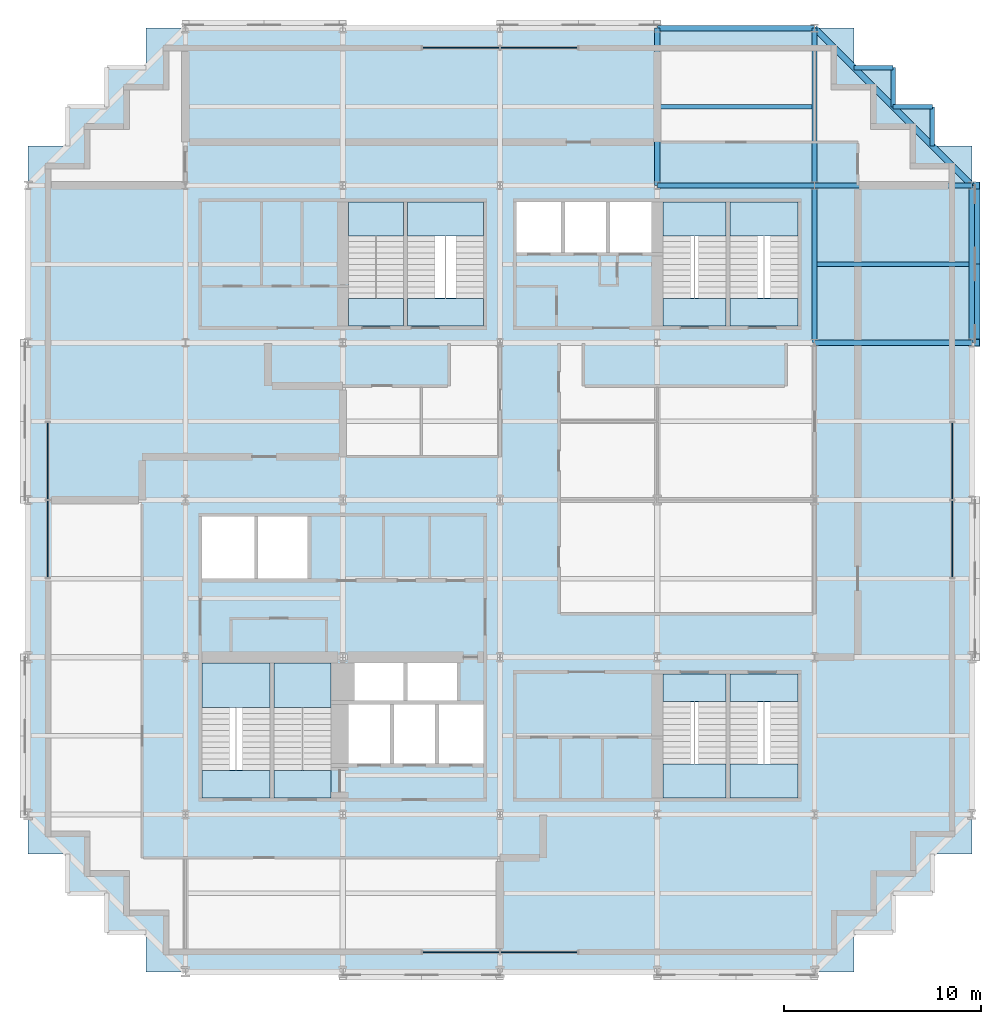
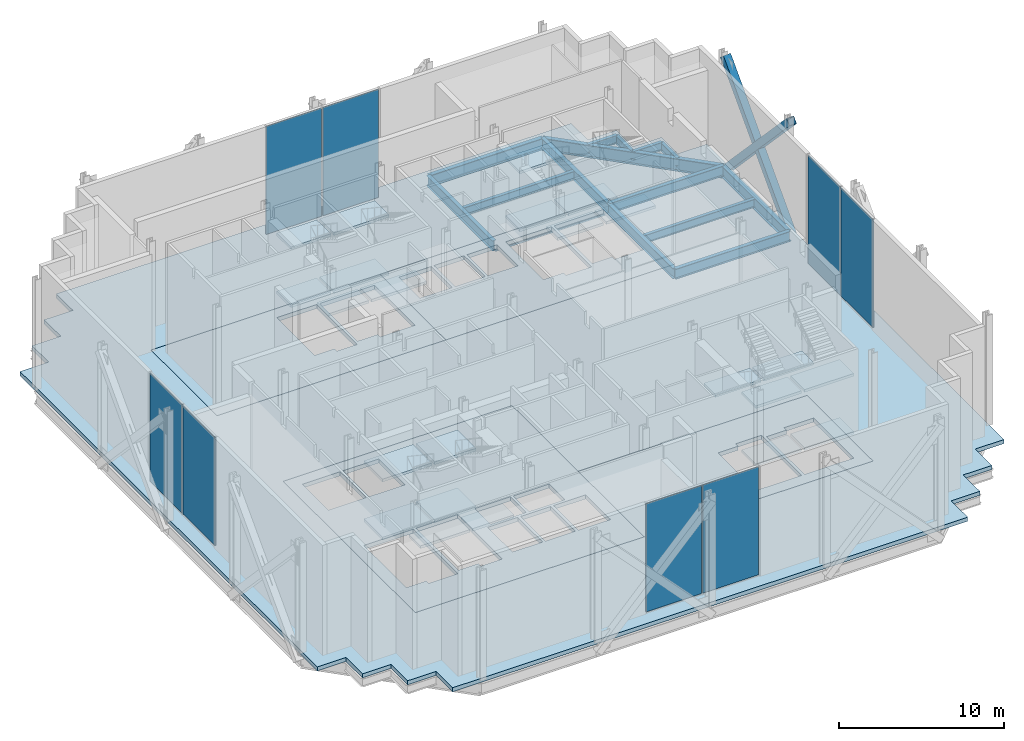
# One storey, part 6 of 13: 28 slabs, 15 beams, 8 plates, 2 members, 12 elements without a shape of their own.
"""IFC4 building model written with IfcOpenShell, lengths in metres."""

from ifc_helpers import new_model, si_unit, direction, frame, origin, origin_2d, place, context, subcontext, project, spatial, polyline, rectangle, hollow_rectangle, i_section, outline, extrude, material, layer, layer_set, material_profile, profile_set, type_object, element, aggregate, save


model = new_model("IFC4")

# Units and contexts
model_context = context("Model", 3, precision=1e-05, world=origin(), true_north=direction((0.0, 1.0)))
body_context = subcontext(model_context, "Body", "Model", "MODEL_VIEW")
ifc_project = project(units=[si_unit("LENGTHUNIT", "METRE"), si_unit("AREAUNIT", "SQUARE_METRE"), si_unit("VOLUMEUNIT", "CUBIC_METRE"), si_unit("PLANEANGLEUNIT", "RADIAN"), si_unit("MASSUNIT", "GRAM", prefix="KILO")], contexts=[model_context])

# Site, building, storey
site_placement = place(None, origin())
site = spatial("IfcSite", under=ifc_project, at=site_placement, CompositionType="ELEMENT")
building_placement = place(site_placement, origin())
building = spatial("IfcBuilding", under=site, at=building_placement, Name="Immortelle Media Tower", CompositionType="ELEMENT")
storey_placement = place(building_placement, frame((0.0, 0.0, 21.0)))
storey = spatial("IfcBuildingStorey", under=building, at=storey_placement, Name="L02", CompositionType="ELEMENT", Elevation=21.0)

# Members
ifc_material_1 = material(Name="Steel ASTM A500 Gr C", Category="steel")
ifc_material_profile_1 = material_profile(ifc_material_1, hollow_rectangle(XDim=0.508056640625, YDim=0.508056640625, WallThickness=0.014892578125, at=origin_2d()), Name="HSS20x20x5/8 brace")
ifc_profile_set_1 = profile_set([ifc_material_profile_1], Name="Steel ASTM A500 Gr C")
member_type = type_object("IfcMemberType", Name="HSS20x20x5/8 brace", PredefinedType="BRACE", material=ifc_profile_set_1)
for number, where, z_axis, x_axis, name in (
    (1, (48.1640625, 32.0, -0.7294921875), (0.0, 0.687508336852, 0.726176484582), (-1.0, 0.0, 0.0), "Brace 7/E-F A"),
    (2, (48.1640625, 32.0, 7.720458984375), (0.0, 0.687508336852, -0.726176484582), (-1.0, 0.0, 0.0), "Brace 7/E-F B"),
):
    element("IfcMember", number, at=place(storey_placement, frame(where, z_axis=z_axis, x_axis=x_axis)), inside=storey, type_object=member_type, Name=name, PredefinedType="BRACE", context=body_context, shape_type="SweptSolid", body=[
        extrude(hollow_rectangle(XDim=0.508056640625, YDim=0.508056640625, WallThickness=0.014892578125, at=origin_2d()), origin(), (0.0, 0.0, 1.0), 11.63623046875),
    ])

# Beams
ifc_material_2 = material(Name="Steel ASTM A992 Gr 50", Category="steel")
ifc_material_profile_2 = material_profile(ifc_material_2, i_section(OverallWidth=0.22900390625, OverallDepth=0.612060546875, WebThickness=0.011962890625, FlangeThickness=0.02001953125, at=origin_2d()), Name="W24x84")
ifc_profile_set_2 = profile_set([ifc_material_profile_2], Name="Steel ASTM A992 Gr 50")
beam_type_1 = type_object("IfcBeamType", Name="W24x84 secondary beam", PredefinedType="JOIST", material=ifc_profile_set_2)
beam_1_placement = place(storey_placement, frame((40.133544921875, 36.0, -0.60595703125), z_axis=(1.0, 0.0, 0.0), x_axis=(0.0, 1.0, 0.0)))
element("IfcBeam", 3, at=beam_1_placement, inside=storey, type_object=beam_type_1, Name="Beam E-F/6-7", PredefinedType="JOIST", context=body_context, shape_type="SweptSolid", body=[
    extrude(i_section(OverallWidth=0.22900390625, OverallDepth=0.612060546875, WebThickness=0.011962890625, FlangeThickness=0.02001953125, at=origin_2d()), origin(), (0.0, 0.0, 1.0), 7.720458984375),
])
beam_2_placement = place(storey_placement, frame((32.133544921875, 44.0, -0.60595703125), z_axis=(1.0, 0.0, 0.0), x_axis=(0.0, 1.0, 0.0)))
element("IfcBeam", 4, at=beam_2_placement, inside=storey, type_object=beam_type_1, Name="Beam F-G/5-6", PredefinedType="JOIST", context=body_context, shape_type="SweptSolid", body=[
    extrude(i_section(OverallWidth=0.22900390625, OverallDepth=0.612060546875, WebThickness=0.011962890625, FlangeThickness=0.02001953125, at=origin_2d()), origin(), (0.0, 0.0, 1.0), 7.73291015625),
])
ifc_material_profile_3 = material_profile(ifc_material_2, i_section(OverallWidth=0.22900390625, OverallDepth=0.612060546875, WebThickness=0.011962890625, FlangeThickness=0.02001953125, at=origin_2d()), Name="W24x84")
ifc_profile_set_3 = profile_set([ifc_material_profile_3], Name="Steel ASTM A992 Gr 50")
beam_type_2 = type_object("IfcBeamType", Name="W24x84 serration edge beam", PredefinedType="SPANDREL", material=ifc_profile_set_3)
for number, where, z_axis, x_axis, name in (
    (5, (42.0, 46.0, -0.60595703125), (1.0, 0.0, 0.0), (0.0, 1.0, 0.0), "Corner edge beam 1 at 7/G"),
    (6, (44.0, 46.0, -0.60595703125), (0.0, -1.0, 0.0), (1.0, 0.0, 0.0), "Corner edge beam 2 at 7/G"),
    (7, (44.0, 44.0, -0.60595703125), (1.0, 0.0, 0.0), (0.0, 1.0, 0.0), "Corner edge beam 3 at 7/G"),
    (8, (46.0, 44.0, -0.60595703125), (0.0, -1.0, 0.0), (1.0, 0.0, 0.0), "Corner edge beam 4 at 7/G"),
):
    element("IfcBeam", number, at=place(storey_placement, frame(where, z_axis=z_axis, x_axis=x_axis)), inside=storey, type_object=beam_type_2, Name=name, PredefinedType="SPANDREL", context=body_context, shape_type="SweptSolid", body=[
        extrude(i_section(OverallWidth=0.22900390625, OverallDepth=0.612060546875, WebThickness=0.011962890625, FlangeThickness=0.02001953125, at=origin_2d()), origin(), (0.0, 0.0, 1.0), 2.0),
    ])
ifc_material_profile_4 = material_profile(ifc_material_2, i_section(OverallWidth=0.26708984375, OverallDepth=0.761962890625, WebThickness=0.013916015625, FlangeThickness=0.02197265625, at=origin_2d()), Name="W30x116")
ifc_profile_set_4 = profile_set([ifc_material_profile_4], Name="Steel ASTM A992 Gr 50")
beam_type_3 = type_object("IfcBeamType", Name="W30x116 girder", PredefinedType="BEAM", material=ifc_profile_set_4)
for number, where, z_axis, x_axis, name in (
    (9, (32.0, 40.0, -0.680908203125), (1.0, 0.0, 0.0), (0.0, 1.0, 0.0), "Girder F/5-6"),
    (10, (32.0, 40.0, -0.680908203125), (0.0, 1.0, 0.0), (-1.0, 0.0, 0.0), "Girder 5/F-G"),
    (11, (40.0, 32.0, -0.680908203125), (1.0, 0.0, 0.0), (0.0, 1.0, 0.0), "Girder E/6-7"),
    (12, (40.0, 32.0, -0.680908203125), (0.0, 1.0, 0.0), (-1.0, 0.0, 0.0), "Girder 6/E-F"),
    (13, (40.0, 40.0, -0.680908203125), (1.0, 0.0, 0.0), (0.0, 1.0, 0.0), "Girder F/6-7"),
    (14, (40.0, 40.0, -0.680908203125), (0.0, 1.0, 0.0), (-1.0, 0.0, 0.0), "Girder 6/F-G"),
):
    element("IfcBeam", number, at=place(storey_placement, frame(where, z_axis=z_axis, x_axis=x_axis)), inside=storey, type_object=beam_type_3, Name=name, PredefinedType="BEAM", context=body_context, shape_type="SweptSolid", body=[
        extrude(i_section(OverallWidth=0.26708984375, OverallDepth=0.761962890625, WebThickness=0.013916015625, FlangeThickness=0.02197265625, at=origin_2d()), origin(), (0.0, 0.0, 1.0), 8.0),
    ])
ifc_material_profile_5 = material_profile(ifc_material_2, i_section(OverallWidth=0.2919921875, OverallDepth=0.85888671875, WebThickness=0.01708984375, FlangeThickness=0.031005859375, at=origin_2d()), Name="W33x169")
ifc_profile_set_5 = profile_set([ifc_material_profile_5], Name="Steel ASTM A992 Gr 50")
beam_type_4 = type_object("IfcBeamType", Name="W33x169 perimeter girder", PredefinedType="SPANDREL", material=ifc_profile_set_5)
for number, where, z_axis, x_axis, name in (
    (15, (32.0, 48.0, -0.7294921875), (1.0, 0.0, 0.0), (0.0, 1.0, 0.0), "Girder G/5-6"),
    (16, (48.0, 32.0, -0.7294921875), (0.0, 1.0, 0.0), (-1.0, 0.0, 0.0), "Girder 7/E-F"),
):
    element("IfcBeam", number, at=place(storey_placement, frame(where, z_axis=z_axis, x_axis=x_axis)), inside=storey, type_object=beam_type_4, Name=name, PredefinedType="SPANDREL", context=body_context, shape_type="SweptSolid", body=[
        extrude(i_section(OverallWidth=0.2919921875, OverallDepth=0.85888671875, WebThickness=0.01708984375, FlangeThickness=0.031005859375, at=origin_2d()), origin(), (0.0, 0.0, 1.0), 8.0),
    ])
ifc_material_profile_6 = material_profile(ifc_material_2, i_section(OverallWidth=0.306884765625, OverallDepth=0.927001953125, WebThickness=0.01904296875, FlangeThickness=0.031982421875, at=origin_2d()), Name="W36x194")
ifc_profile_set_6 = profile_set([ifc_material_profile_6], Name="Steel ASTM A992 Gr 50")
beam_type_5 = type_object("IfcBeamType", Name="W36x194 corner girder", PredefinedType="SPANDREL", material=ifc_profile_set_6)
beam_3_placement = place(storey_placement, frame((40.0, 48.0, -0.763427734375), z_axis=(0.707106781187, -0.707106781187, 0.0), x_axis=(0.707106781187, 0.707106781187, 0.0)))
element("IfcBeam", 17, at=beam_3_placement, inside=storey, type_object=beam_type_5, Name="Corner girder at 7/G", PredefinedType="SPANDREL", context=body_context, shape_type="SweptSolid", body=[
    extrude(i_section(OverallWidth=0.306884765625, OverallDepth=0.927001953125, WebThickness=0.01904296875, FlangeThickness=0.031982421875, at=origin_2d()), origin(), (0.0, 0.0, 1.0), 11.313720703125),
])

# Slabs
ifc_material_3 = material(Name="Concrete C50/60", Category="concrete")
ifc_layer_1 = layer(ifc_material_3, 0.300048828125)
ifc_layer_set_1 = layer_set([ifc_layer_1], Name="Concrete C50/60")
slab_type_1 = type_object("IfcSlabType", Name="Core floor slab 300", PredefinedType="FLOOR", material=ifc_layer_set_1)
slab_1_placement = place(storey_placement, frame((0.0, 0.0, -0.300048828125)))
element("IfcSlab", 18, at=slab_1_placement, inside=storey, type_object=slab_type_1, Name="Core floor SW", PredefinedType="FLOOR", context=body_context, shape_type="SweptSolid", body=[
    extrude(outline(polyline([(8.0, 8.0), (24.0, 8.0), (24.0, 24.0), (8.0, 24.0), (8.0, 8.0)]), holes=[polyline([(8.85009765625, 20.0), (11.5, 20.0), (11.5, 23.14990234375), (8.85009765625, 23.14990234375), (8.85009765625, 20.0)]), polyline([(11.699951171875, 20.0), (14.199951171875, 20.0), (14.199951171875, 23.14990234375), (11.699951171875, 23.14990234375), (11.699951171875, 20.0)]), polyline([(16.60009765625, 13.800048828125), (19.10009765625, 13.800048828125), (19.10009765625, 15.699951171875), (16.60009765625, 15.699951171875), (16.60009765625, 13.800048828125)]), polyline([(19.300048828125, 13.800048828125), (21.800048828125, 13.800048828125), (21.800048828125, 15.699951171875), (19.300048828125, 15.699951171875), (19.300048828125, 13.800048828125)]), polyline([(16.300048828125, 10.60009765625), (18.39990234375, 10.60009765625), (18.39990234375, 13.60009765625), (16.300048828125, 13.60009765625), (16.300048828125, 10.60009765625)]), polyline([(18.60009765625, 10.60009765625), (20.699951171875, 10.60009765625), (20.699951171875, 13.60009765625), (18.60009765625, 13.60009765625), (18.60009765625, 10.60009765625)]), polyline([(20.89990234375, 10.60009765625), (23.14990234375, 10.60009765625), (23.14990234375, 13.60009765625), (20.89990234375, 13.60009765625), (20.89990234375, 10.60009765625)]), polyline([(8.85009765625, 15.699951171875), (12.300048828125, 15.699951171875), (12.300048828125, 10.27001953125), (10.25, 10.27001953125), (10.25, 10.56005859375), (8.85009765625, 10.56005859375), (8.85009765625, 15.699951171875)]), polyline([(12.5, 15.699951171875), (15.39990234375, 15.699951171875), (15.39990234375, 10.27001953125), (13.89990234375, 10.27001953125), (13.89990234375, 10.56005859375), (12.5, 10.56005859375), (12.5, 15.699951171875)])]), origin(), (0.0, 0.0, 1.0), 0.300048828125),
])
slab_2_placement = place(storey_placement, frame((0.0, 0.0, -0.300048828125)))
element("IfcSlab", 19, at=slab_2_placement, inside=storey, type_object=slab_type_1, Name="Core floor SE", PredefinedType="FLOOR", context=body_context, shape_type="SweptSolid", body=[
    extrude(outline(polyline([(24.0, 8.0), (40.0, 8.0), (40.0, 16.0), (24.0, 16.0), (24.0, 8.0)]), holes=[polyline([(35.5, 13.72998046875), (35.5, 8.85009765625), (32.300048828125, 8.85009765625), (32.300048828125, 13.43994140625), (33.699951171875, 13.43994140625), (33.699951171875, 13.72998046875), (35.5, 13.72998046875)]), polyline([(39.14990234375, 13.72998046875), (39.14990234375, 8.85009765625), (35.699951171875, 8.85009765625), (35.699951171875, 13.43994140625), (37.10009765625, 13.43994140625), (37.10009765625, 13.72998046875), (39.14990234375, 13.72998046875)])]), origin(), (0.0, 0.0, 1.0), 0.300048828125),
])
slab_3_placement = place(storey_placement, frame((0.0, 0.0, -0.300048828125)))
element("IfcSlab", 20, at=slab_3_placement, inside=storey, type_object=slab_type_1, Name="Core floor NW", PredefinedType="FLOOR", context=body_context, shape_type="SweptSolid", body=[
    extrude(outline(polyline([(8.0, 32.0), (24.0, 32.0), (24.0, 40.0), (8.0, 40.0), (8.0, 32.0)]), holes=[polyline([(16.300048828125, 39.14990234375), (19.10009765625, 39.14990234375), (19.10009765625, 34.27001953125), (17.699951171875, 34.27001953125), (17.699951171875, 34.56005859375), (16.300048828125, 34.56005859375), (16.300048828125, 39.14990234375)]), polyline([(19.300048828125, 39.14990234375), (23.14990234375, 39.14990234375), (23.14990234375, 34.27001953125), (20.699951171875, 34.27001953125), (20.699951171875, 34.56005859375), (19.300048828125, 34.56005859375), (19.300048828125, 39.14990234375)])]), origin(), (0.0, 0.0, 1.0), 0.300048828125),
])
slab_4_placement = place(storey_placement, frame((0.0, 0.0, -0.300048828125)))
element("IfcSlab", 21, at=slab_4_placement, inside=storey, type_object=slab_type_1, Name="Core floor NE", PredefinedType="FLOOR", context=body_context, shape_type="SweptSolid", body=[
    extrude(outline(polyline([(24.0, 32.0), (40.0, 32.0), (40.0, 40.0), (24.0, 40.0), (24.0, 32.0)]), holes=[polyline([(24.85009765625, 36.60009765625), (27.10009765625, 36.60009765625), (27.10009765625, 39.14990234375), (24.85009765625, 39.14990234375), (24.85009765625, 36.60009765625)]), polyline([(27.300048828125, 36.60009765625), (29.39990234375, 36.60009765625), (29.39990234375, 39.14990234375), (27.300048828125, 39.14990234375), (27.300048828125, 36.60009765625)]), polyline([(29.60009765625, 36.60009765625), (31.699951171875, 36.60009765625), (31.699951171875, 39.14990234375), (29.60009765625, 39.14990234375), (29.60009765625, 36.60009765625)]), polyline([(32.300048828125, 39.14990234375), (35.5, 39.14990234375), (35.5, 34.27001953125), (33.699951171875, 34.27001953125), (33.699951171875, 34.56005859375), (32.300048828125, 34.56005859375), (32.300048828125, 39.14990234375)]), polyline([(35.699951171875, 39.14990234375), (39.14990234375, 39.14990234375), (39.14990234375, 34.27001953125), (37.10009765625, 34.27001953125), (37.10009765625, 34.56005859375), (35.699951171875, 34.56005859375), (35.699951171875, 39.14990234375)])]), origin(), (0.0, 0.0, 1.0), 0.300048828125),
])
ifc_layer_2 = layer(ifc_material_3, 0.300048828125)
ifc_layer_set_2 = layer_set([ifc_layer_2], Name="Concrete C50/60")
slab_type_2 = type_object("IfcSlabType", Name="Floor slab 300", PredefinedType="FLOOR", material=ifc_layer_set_2)
slab_5_placement = place(storey_placement, frame((0.0, 0.0, -0.300048828125)))
element("IfcSlab", 22, at=slab_5_placement, inside=storey, type_object=slab_type_2, Name="Floor slab L02", PredefinedType="FLOOR", context=body_context, shape_type="SweptSolid", body=[
    extrude(outline(polyline([(0.0, 42.0), (2.0, 42.0), (2.0, 44.0), (4.0, 44.0), (4.0, 46.0), (6.0, 46.0), (6.0, 48.0), (24.0, 48.0), (42.0, 48.0), (42.0, 46.0), (44.0, 46.0), (44.0, 44.0), (46.0, 44.0), (46.0, 42.0), (48.0, 42.0), (48.0, 24.0), (48.0, 6.0), (46.0, 6.0), (46.0, 4.0), (44.0, 4.0), (44.0, 2.0), (42.0, 2.0), (42.0, 0.0), (24.0, 0.0), (6.0, 0.0), (6.0, 2.0), (4.0, 2.0), (4.0, 4.0), (2.0, 4.0), (2.0, 6.0), (0.0, 6.0), (0.0, 24.0), (0.0, 42.0)]), holes=[polyline([(40.0, 16.0), (24.0, 16.0), (24.0, 24.0), (8.0, 24.0), (8.0, 8.0), (24.0, 8.0), (40.0, 8.0), (40.0, 16.0)]), polyline([(8.0, 32.0), (24.0, 32.0), (40.0, 32.0), (40.0, 40.0), (24.0, 40.0), (8.0, 40.0), (8.0, 32.0)])]), origin(), (0.0, 0.0, 1.0), 0.300048828125),
])

# Curtain wall, plates
ifc_material_4 = material(Name="Aluminium curtain wall system", Category="aluminium")
curtain_wall_type = type_object("IfcCurtainWallType", Name="Media wall curtain wall", PredefinedType="NOTDEFINED", material=ifc_material_4)
curtain_wall_1_placement = place(storey_placement, origin())
curtain_wall_1 = element("IfcCurtainWall", 23, at=curtain_wall_1_placement, inside=storey, type_object=curtain_wall_type, Name="Media wall L02 S 7-2", PredefinedType="NOTDEFINED")
ifc_material_5 = material(Name="Light-diffusing louvre panel, pale aluminium", Category="aluminium")
ifc_layer_3 = layer(ifc_material_5, 0.06005859375)
ifc_layer_set_3 = layer_set([ifc_layer_3], Name="Light-diffusing louvre panel, pale aluminium")
plate_type = type_object("IfcPlateType", Name="Louvre and light-diffusing panel 60 mm", PredefinedType="CURTAIN_PANEL", material=ifc_layer_set_3)
plate_1_placement = place(storey_placement, frame((22.02001953125, 1.0, 0.080078125), z_axis=(0.0, 0.0, 1.0), x_axis=(1.0, 0.0, 0.0)))
plate_1 = element("IfcPlate", 24, at=plate_1_placement, type_object=plate_type, Name="CW3 panel 1.1", PredefinedType="CURTAIN_PANEL", context=body_context, shape_type="SweptSolid", body=[
    extrude(rectangle(XDim=3.8798828125, YDim=0.06005859375, at=origin_2d()), origin(), (0.0, 0.0, 1.0), 7.989990234375),
])
plate_2_placement = place(storey_placement, frame((25.97998046875, 1.0, 0.080078125), z_axis=(0.0, 0.0, 1.0), x_axis=(1.0, 0.0, 0.0)))
plate_2 = element("IfcPlate", 25, at=plate_2_placement, type_object=plate_type, Name="CW3 panel 2.1", PredefinedType="CURTAIN_PANEL", context=body_context, shape_type="SweptSolid", body=[
    extrude(rectangle(XDim=3.8798828125, YDim=0.06005859375, at=origin_2d()), origin(), (0.0, 0.0, 1.0), 7.989990234375),
])
aggregate(curtain_wall_1, [plate_1, plate_2])

curtain_wall_2_placement = place(storey_placement, origin())
curtain_wall_2 = element("IfcCurtainWall", 26, at=curtain_wall_2_placement, inside=storey, type_object=curtain_wall_type, Name="Media wall L02 E 14-2", PredefinedType="NOTDEFINED")
plate_3_placement = place(storey_placement, frame((47.0, 22.02001953125, 0.080078125), z_axis=(0.0, 0.0, 1.0), x_axis=(0.0, 1.0, 0.0)))
plate_3 = element("IfcPlate", 27, at=plate_3_placement, type_object=plate_type, Name="CW3 panel 1.1", PredefinedType="CURTAIN_PANEL", context=body_context, shape_type="SweptSolid", body=[
    extrude(rectangle(XDim=3.8798828125, YDim=0.06005859375, at=origin_2d()), origin(), (0.0, 0.0, 1.0), 7.989990234375),
])
plate_4_placement = place(storey_placement, frame((47.0, 25.97998046875, 0.080078125), z_axis=(0.0, 0.0, 1.0), x_axis=(0.0, 1.0, 0.0)))
plate_4 = element("IfcPlate", 28, at=plate_4_placement, type_object=plate_type, Name="CW3 panel 2.1", PredefinedType="CURTAIN_PANEL", context=body_context, shape_type="SweptSolid", body=[
    extrude(rectangle(XDim=3.8798828125, YDim=0.06005859375, at=origin_2d()), origin(), (0.0, 0.0, 1.0), 7.989990234375),
])
aggregate(curtain_wall_2, [plate_3, plate_4])

curtain_wall_3_placement = place(storey_placement, origin())
curtain_wall_3 = element("IfcCurtainWall", 29, at=curtain_wall_3_placement, inside=storey, type_object=curtain_wall_type, Name="Media wall L02 N 21-2", PredefinedType="NOTDEFINED")
plate_5_placement = place(storey_placement, frame((25.97998046875, 47.0, 0.080078125), z_axis=(0.0, 0.0, 1.0), x_axis=(-1.0, 0.0, 0.0)))
plate_5 = element("IfcPlate", 30, at=plate_5_placement, type_object=plate_type, Name="CW3 panel 1.1", PredefinedType="CURTAIN_PANEL", context=body_context, shape_type="SweptSolid", body=[
    extrude(rectangle(XDim=3.8798828125, YDim=0.06005859375, at=origin_2d()), origin(), (0.0, 0.0, 1.0), 7.989990234375),
])
plate_6_placement = place(storey_placement, frame((22.02001953125, 47.0, 0.080078125), z_axis=(0.0, 0.0, 1.0), x_axis=(-1.0, 0.0, 0.0)))
plate_6 = element("IfcPlate", 31, at=plate_6_placement, type_object=plate_type, Name="CW3 panel 2.1", PredefinedType="CURTAIN_PANEL", context=body_context, shape_type="SweptSolid", body=[
    extrude(rectangle(XDim=3.8798828125, YDim=0.06005859375, at=origin_2d()), origin(), (0.0, 0.0, 1.0), 7.989990234375),
])
aggregate(curtain_wall_3, [plate_5, plate_6])

curtain_wall_4_placement = place(storey_placement, origin())
curtain_wall_4 = element("IfcCurtainWall", 32, at=curtain_wall_4_placement, inside=storey, type_object=curtain_wall_type, Name="Media wall L02 W 28-2", PredefinedType="NOTDEFINED")
plate_7_placement = place(storey_placement, frame((1.0, 25.97998046875, 0.080078125), z_axis=(0.0, 0.0, 1.0), x_axis=(0.0, -1.0, 0.0)))
plate_7 = element("IfcPlate", 33, at=plate_7_placement, type_object=plate_type, Name="CW3 panel 1.1", PredefinedType="CURTAIN_PANEL", context=body_context, shape_type="SweptSolid", body=[
    extrude(rectangle(XDim=3.8798828125, YDim=0.06005859375, at=origin_2d()), origin(), (0.0, 0.0, 1.0), 7.989990234375),
])
plate_8_placement = place(storey_placement, frame((1.0, 22.02001953125, 0.080078125), z_axis=(0.0, 0.0, 1.0), x_axis=(0.0, -1.0, 0.0)))
plate_8 = element("IfcPlate", 34, at=plate_8_placement, type_object=plate_type, Name="CW3 panel 2.1", PredefinedType="CURTAIN_PANEL", context=body_context, shape_type="SweptSolid", body=[
    extrude(rectangle(XDim=3.8798828125, YDim=0.06005859375, at=origin_2d()), origin(), (0.0, 0.0, 1.0), 7.989990234375),
])
aggregate(curtain_wall_4, [plate_7, plate_8])

# Stair, slabs
stair_type = type_object("IfcStairType", Name="Stair with flights", PredefinedType="DOUBLE_RETURN_STAIR", material=ifc_material_2)
stair_1_placement = place(storey_placement, origin())
stair_1 = element("IfcStair", 35, at=stair_1_placement, inside=storey, type_object=stair_type, Name="Exit stair SW1", PredefinedType="DOUBLE_RETURN_STAIR")
ifc_material_6 = material(Name="Steel ASTM A572 Gr 50", Category="steel")
ifc_layer_4 = layer(ifc_material_6, 0.199951171875)
ifc_layer_set_4 = layer_set([ifc_layer_4], Name="Steel ASTM A572 Gr 50")
slab_type_3 = type_object("IfcSlabType", Name="Stair landing 200", PredefinedType="LANDING", material=ifc_layer_set_4)
slab_6_placement = place(storey_placement, frame((0.0, 0.0, 1.765869140625)))
slab_6 = element("IfcSlab", 36, at=slab_6_placement, type_object=slab_type_3, Name="ST SW1 landing 1", PredefinedType="LANDING", context=body_context, shape_type="SweptSolid", body=[
    extrude(outline(polyline([(8.85009765625, 13.43994140625), (12.300048828125, 13.43994140625), (12.300048828125, 15.699951171875), (8.85009765625, 15.699951171875), (8.85009765625, 13.43994140625)])), origin(), (0.0, 0.0, 1.0), 0.2001953125),
])
slab_7_placement = place(storey_placement, frame((0.0, 0.0, 3.91064453125)))
slab_7 = element("IfcSlab", 37, at=slab_7_placement, type_object=slab_type_3, Name="ST SW1 landing 2", PredefinedType="LANDING", context=body_context, shape_type="SweptSolid", body=[
    extrude(outline(polyline([(8.85009765625, 8.85009765625), (12.300048828125, 8.85009765625), (12.300048828125, 10.25), (8.85009765625, 10.25), (8.85009765625, 8.85009765625)])), origin(), (0.0, 0.0, 1.0), 0.199951171875),
])
slab_8_placement = place(storey_placement, frame((0.0, 0.0, 6.055419921875)))
slab_8 = element("IfcSlab", 38, at=slab_8_placement, type_object=slab_type_3, Name="ST SW1 landing 3", PredefinedType="LANDING", context=body_context, shape_type="SweptSolid", body=[
    extrude(outline(polyline([(8.85009765625, 13.43994140625), (12.300048828125, 13.43994140625), (12.300048828125, 15.699951171875), (8.85009765625, 15.699951171875), (8.85009765625, 13.43994140625)])), origin(), (0.0, 0.0, 1.0), 0.199951171875),
])
aggregate(stair_1, [slab_6, slab_7, slab_8])

stair_2_placement = place(storey_placement, origin())
stair_2 = element("IfcStair", 39, at=stair_2_placement, inside=storey, type_object=stair_type, Name="Exit stair SW2", PredefinedType="DOUBLE_RETURN_STAIR")
slab_9_placement = place(storey_placement, frame((0.0, 0.0, 1.765869140625)))
slab_9 = element("IfcSlab", 40, at=slab_9_placement, type_object=slab_type_3, Name="ST SW2 landing 1", PredefinedType="LANDING", context=body_context, shape_type="SweptSolid", body=[
    extrude(outline(polyline([(12.5, 13.43994140625), (15.39990234375, 13.43994140625), (15.39990234375, 15.699951171875), (12.5, 15.699951171875), (12.5, 13.43994140625)])), origin(), (0.0, 0.0, 1.0), 0.2001953125),
])
slab_10_placement = place(storey_placement, frame((0.0, 0.0, 3.91064453125)))
slab_10 = element("IfcSlab", 41, at=slab_10_placement, type_object=slab_type_3, Name="ST SW2 landing 2", PredefinedType="LANDING", context=body_context, shape_type="SweptSolid", body=[
    extrude(outline(polyline([(12.5, 8.85009765625), (15.39990234375, 8.85009765625), (15.39990234375, 10.25), (12.5, 10.25), (12.5, 8.85009765625)])), origin(), (0.0, 0.0, 1.0), 0.199951171875),
])
slab_11_placement = place(storey_placement, frame((0.0, 0.0, 6.055419921875)))
slab_11 = element("IfcSlab", 42, at=slab_11_placement, type_object=slab_type_3, Name="ST SW2 landing 3", PredefinedType="LANDING", context=body_context, shape_type="SweptSolid", body=[
    extrude(outline(polyline([(12.5, 13.43994140625), (15.39990234375, 13.43994140625), (15.39990234375, 15.699951171875), (12.5, 15.699951171875), (12.5, 13.43994140625)])), origin(), (0.0, 0.0, 1.0), 0.199951171875),
])
aggregate(stair_2, [slab_9, slab_10, slab_11])

stair_3_placement = place(storey_placement, origin())
stair_3 = element("IfcStair", 43, at=stair_3_placement, inside=storey, type_object=stair_type, Name="Exit stair SE1", PredefinedType="DOUBLE_RETURN_STAIR")
slab_12_placement = place(storey_placement, frame((0.0, 0.0, 1.765869140625)))
slab_12 = element("IfcSlab", 44, at=slab_12_placement, type_object=slab_type_3, Name="ST SE1 landing 1", PredefinedType="LANDING", context=body_context, shape_type="SweptSolid", body=[
    extrude(outline(polyline([(32.300048828125, 8.85009765625), (35.5, 8.85009765625), (35.5, 10.56005859375), (32.300048828125, 10.56005859375), (32.300048828125, 8.85009765625)])), origin(), (0.0, 0.0, 1.0), 0.2001953125),
])
slab_13_placement = place(storey_placement, frame((0.0, 0.0, 3.91064453125)))
slab_13 = element("IfcSlab", 45, at=slab_13_placement, type_object=slab_type_3, Name="ST SE1 landing 2", PredefinedType="LANDING", context=body_context, shape_type="SweptSolid", body=[
    extrude(outline(polyline([(32.300048828125, 13.75), (35.5, 13.75), (35.5, 15.14990234375), (32.300048828125, 15.14990234375), (32.300048828125, 13.75)])), origin(), (0.0, 0.0, 1.0), 0.199951171875),
])
slab_14_placement = place(storey_placement, frame((0.0, 0.0, 6.055419921875)))
slab_14 = element("IfcSlab", 46, at=slab_14_placement, type_object=slab_type_3, Name="ST SE1 landing 3", PredefinedType="LANDING", context=body_context, shape_type="SweptSolid", body=[
    extrude(outline(polyline([(32.300048828125, 8.85009765625), (35.5, 8.85009765625), (35.5, 10.56005859375), (32.300048828125, 10.56005859375), (32.300048828125, 8.85009765625)])), origin(), (0.0, 0.0, 1.0), 0.199951171875),
])
aggregate(stair_3, [slab_12, slab_13, slab_14])

stair_4_placement = place(storey_placement, origin())
stair_4 = element("IfcStair", 47, at=stair_4_placement, inside=storey, type_object=stair_type, Name="Exit stair SE2", PredefinedType="DOUBLE_RETURN_STAIR")
slab_15_placement = place(storey_placement, frame((0.0, 0.0, 1.765869140625)))
slab_15 = element("IfcSlab", 48, at=slab_15_placement, type_object=slab_type_3, Name="ST SE2 landing 1", PredefinedType="LANDING", context=body_context, shape_type="SweptSolid", body=[
    extrude(outline(polyline([(35.699951171875, 8.85009765625), (39.14990234375, 8.85009765625), (39.14990234375, 10.56005859375), (35.699951171875, 10.56005859375), (35.699951171875, 8.85009765625)])), origin(), (0.0, 0.0, 1.0), 0.2001953125),
])
slab_16_placement = place(storey_placement, frame((0.0, 0.0, 3.91064453125)))
slab_16 = element("IfcSlab", 49, at=slab_16_placement, type_object=slab_type_3, Name="ST SE2 landing 2", PredefinedType="LANDING", context=body_context, shape_type="SweptSolid", body=[
    extrude(outline(polyline([(35.699951171875, 13.75), (39.14990234375, 13.75), (39.14990234375, 15.14990234375), (35.699951171875, 15.14990234375), (35.699951171875, 13.75)])), origin(), (0.0, 0.0, 1.0), 0.199951171875),
])
slab_17_placement = place(storey_placement, frame((0.0, 0.0, 6.055419921875)))
slab_17 = element("IfcSlab", 50, at=slab_17_placement, type_object=slab_type_3, Name="ST SE2 landing 3", PredefinedType="LANDING", context=body_context, shape_type="SweptSolid", body=[
    extrude(outline(polyline([(35.699951171875, 8.85009765625), (39.14990234375, 8.85009765625), (39.14990234375, 10.56005859375), (35.699951171875, 10.56005859375), (35.699951171875, 8.85009765625)])), origin(), (0.0, 0.0, 1.0), 0.199951171875),
])
aggregate(stair_4, [slab_15, slab_16, slab_17])

stair_5_placement = place(storey_placement, origin())
stair_5 = element("IfcStair", 51, at=stair_5_placement, inside=storey, type_object=stair_type, Name="Exit stair NW1", PredefinedType="DOUBLE_RETURN_STAIR")
slab_18_placement = place(storey_placement, frame((0.0, 0.0, 1.765869140625)))
slab_18 = element("IfcSlab", 52, at=slab_18_placement, type_object=slab_type_3, Name="ST NW1 landing 1", PredefinedType="LANDING", context=body_context, shape_type="SweptSolid", body=[
    extrude(outline(polyline([(16.300048828125, 37.43994140625), (19.10009765625, 37.43994140625), (19.10009765625, 39.14990234375), (16.300048828125, 39.14990234375), (16.300048828125, 37.43994140625)])), origin(), (0.0, 0.0, 1.0), 0.2001953125),
])
slab_19_placement = place(storey_placement, frame((0.0, 0.0, 3.91064453125)))
slab_19 = element("IfcSlab", 53, at=slab_19_placement, type_object=slab_type_3, Name="ST NW1 landing 2", PredefinedType="LANDING", context=body_context, shape_type="SweptSolid", body=[
    extrude(outline(polyline([(16.300048828125, 32.85009765625), (19.10009765625, 32.85009765625), (19.10009765625, 34.25), (16.300048828125, 34.25), (16.300048828125, 32.85009765625)])), origin(), (0.0, 0.0, 1.0), 0.199951171875),
])
slab_20_placement = place(storey_placement, frame((0.0, 0.0, 6.055419921875)))
slab_20 = element("IfcSlab", 54, at=slab_20_placement, type_object=slab_type_3, Name="ST NW1 landing 3", PredefinedType="LANDING", context=body_context, shape_type="SweptSolid", body=[
    extrude(outline(polyline([(16.300048828125, 37.43994140625), (19.10009765625, 37.43994140625), (19.10009765625, 39.14990234375), (16.300048828125, 39.14990234375), (16.300048828125, 37.43994140625)])), origin(), (0.0, 0.0, 1.0), 0.199951171875),
])
aggregate(stair_5, [slab_18, slab_19, slab_20])

stair_6_placement = place(storey_placement, origin())
stair_6 = element("IfcStair", 55, at=stair_6_placement, inside=storey, type_object=stair_type, Name="Exit stair NW2", PredefinedType="DOUBLE_RETURN_STAIR")
slab_21_placement = place(storey_placement, frame((0.0, 0.0, 1.765869140625)))
slab_21 = element("IfcSlab", 56, at=slab_21_placement, type_object=slab_type_3, Name="ST NW2 landing 1", PredefinedType="LANDING", context=body_context, shape_type="SweptSolid", body=[
    extrude(outline(polyline([(19.300048828125, 37.43994140625), (23.14990234375, 37.43994140625), (23.14990234375, 39.14990234375), (19.300048828125, 39.14990234375), (19.300048828125, 37.43994140625)])), origin(), (0.0, 0.0, 1.0), 0.2001953125),
])
slab_22_placement = place(storey_placement, frame((0.0, 0.0, 3.91064453125)))
slab_22 = element("IfcSlab", 57, at=slab_22_placement, type_object=slab_type_3, Name="ST NW2 landing 2", PredefinedType="LANDING", context=body_context, shape_type="SweptSolid", body=[
    extrude(outline(polyline([(19.300048828125, 32.85009765625), (23.14990234375, 32.85009765625), (23.14990234375, 34.25), (19.300048828125, 34.25), (19.300048828125, 32.85009765625)])), origin(), (0.0, 0.0, 1.0), 0.199951171875),
])
slab_23_placement = place(storey_placement, frame((0.0, 0.0, 6.055419921875)))
slab_23 = element("IfcSlab", 58, at=slab_23_placement, type_object=slab_type_3, Name="ST NW2 landing 3", PredefinedType="LANDING", context=body_context, shape_type="SweptSolid", body=[
    extrude(outline(polyline([(19.300048828125, 37.43994140625), (23.14990234375, 37.43994140625), (23.14990234375, 39.14990234375), (19.300048828125, 39.14990234375), (19.300048828125, 37.43994140625)])), origin(), (0.0, 0.0, 1.0), 0.199951171875),
])
aggregate(stair_6, [slab_21, slab_22, slab_23])

stair_7_placement = place(storey_placement, origin())
stair_7 = element("IfcStair", 59, at=stair_7_placement, inside=storey, type_object=stair_type, Name="Exit stair NE1", PredefinedType="DOUBLE_RETURN_STAIR")
slab_24_placement = place(storey_placement, frame((0.0, 0.0, 1.765869140625)))
slab_24 = element("IfcSlab", 60, at=slab_24_placement, type_object=slab_type_3, Name="ST NE1 landing 1", PredefinedType="LANDING", context=body_context, shape_type="SweptSolid", body=[
    extrude(outline(polyline([(32.300048828125, 37.43994140625), (35.5, 37.43994140625), (35.5, 39.14990234375), (32.300048828125, 39.14990234375), (32.300048828125, 37.43994140625)])), origin(), (0.0, 0.0, 1.0), 0.2001953125),
])
slab_25_placement = place(storey_placement, frame((0.0, 0.0, 3.91064453125)))
slab_25 = element("IfcSlab", 61, at=slab_25_placement, type_object=slab_type_3, Name="ST NE1 landing 2", PredefinedType="LANDING", context=body_context, shape_type="SweptSolid", body=[
    extrude(outline(polyline([(32.300048828125, 32.85009765625), (35.5, 32.85009765625), (35.5, 34.25), (32.300048828125, 34.25), (32.300048828125, 32.85009765625)])), origin(), (0.0, 0.0, 1.0), 0.199951171875),
])
slab_26_placement = place(storey_placement, frame((0.0, 0.0, 6.055419921875)))
slab_26 = element("IfcSlab", 62, at=slab_26_placement, type_object=slab_type_3, Name="ST NE1 landing 3", PredefinedType="LANDING", context=body_context, shape_type="SweptSolid", body=[
    extrude(outline(polyline([(32.300048828125, 37.43994140625), (35.5, 37.43994140625), (35.5, 39.14990234375), (32.300048828125, 39.14990234375), (32.300048828125, 37.43994140625)])), origin(), (0.0, 0.0, 1.0), 0.199951171875),
])
aggregate(stair_7, [slab_24, slab_25, slab_26])

stair_8_placement = place(storey_placement, origin())
stair_8 = element("IfcStair", 63, at=stair_8_placement, inside=storey, type_object=stair_type, Name="Exit stair NE2", PredefinedType="DOUBLE_RETURN_STAIR")
slab_27_placement = place(storey_placement, frame((0.0, 0.0, 1.765869140625)))
slab_27 = element("IfcSlab", 64, at=slab_27_placement, type_object=slab_type_3, Name="ST NE2 landing 1", PredefinedType="LANDING", context=body_context, shape_type="SweptSolid", body=[
    extrude(outline(polyline([(35.699951171875, 37.43994140625), (39.14990234375, 37.43994140625), (39.14990234375, 39.14990234375), (35.699951171875, 39.14990234375), (35.699951171875, 37.43994140625)])), origin(), (0.0, 0.0, 1.0), 0.2001953125),
])
slab_28_placement = place(storey_placement, frame((0.0, 0.0, 3.91064453125)))
slab_28 = element("IfcSlab", 65, at=slab_28_placement, type_object=slab_type_3, Name="ST NE2 landing 2", PredefinedType="LANDING", context=body_context, shape_type="SweptSolid", body=[
    extrude(outline(polyline([(35.699951171875, 32.85009765625), (39.14990234375, 32.85009765625), (39.14990234375, 34.25), (35.699951171875, 34.25), (35.699951171875, 32.85009765625)])), origin(), (0.0, 0.0, 1.0), 0.199951171875),
])
aggregate(stair_8, [slab_27, slab_28])

save(model, "model.ifc")
